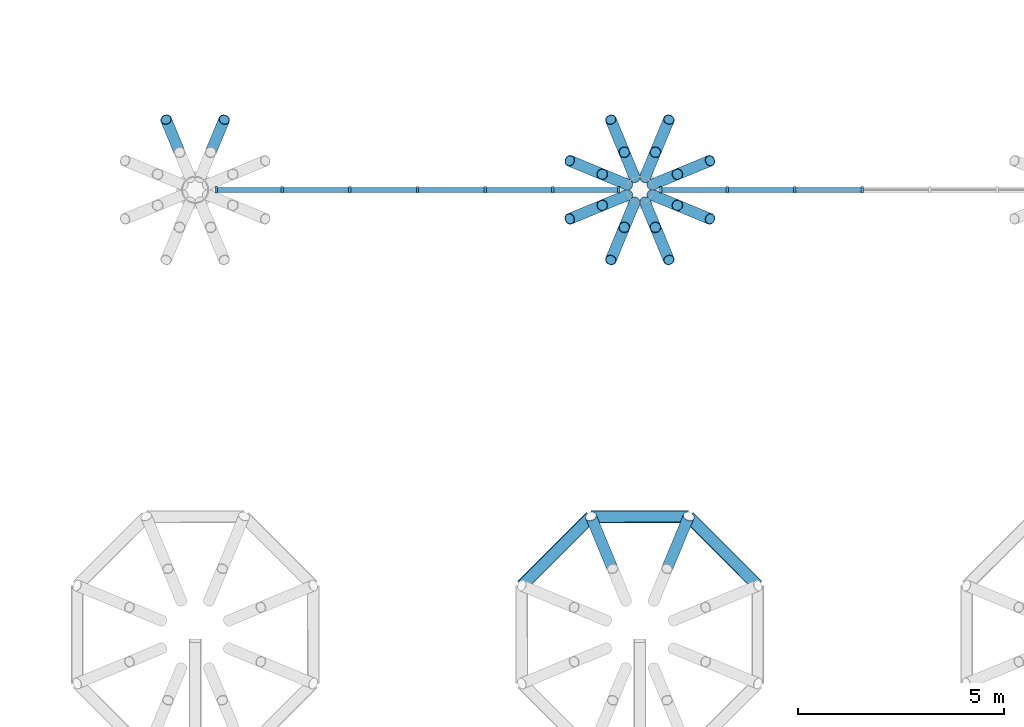
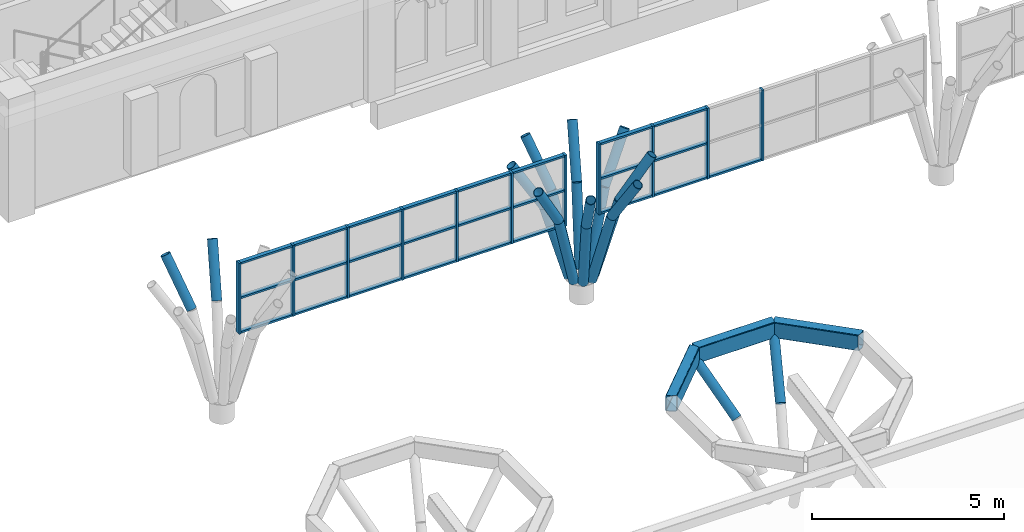
# One storey, part 7 of 42: 56 members, 3 beams, 2 elements without a shape of their own.
"""IFC4 building model written with IfcOpenShell, lengths in metres."""

from ifc_helpers import new_model, si_unit, direction, frame, origin, origin_2d, place, context, subcontext, project, spatial, rectangle, hollow_rectangle, hollow_circle, extrude, clip, halfspace, material, layer, layer_set, material_profile, profile_set, type_object, element, aggregate, save


model = new_model("IFC4")

# Units and contexts
model_context = context("Model", 3, precision=1e-05, world=origin(), true_north=direction((0.0, 1.0)))
body_context = subcontext(model_context, "Body", "Model", "MODEL_VIEW")
ifc_project = project(units=[si_unit("LENGTHUNIT", "METRE"), si_unit("AREAUNIT", "SQUARE_METRE"), si_unit("VOLUMEUNIT", "CUBIC_METRE"), si_unit("PLANEANGLEUNIT", "RADIAN"), si_unit("MASSUNIT", "GRAM", prefix="KILO")], contexts=[model_context])

# Site, building, storey
site_placement = place(None, origin())
site = spatial("IfcSite", under=ifc_project, at=site_placement, CompositionType="ELEMENT")
building_placement = place(site_placement, origin())
building = spatial("IfcBuilding", under=site, at=building_placement, Name="Magnolia Steps Interchange", CompositionType="ELEMENT")
storey_placement = place(building_placement, frame((0.0, 0.0, 12.60009765625)))
storey = spatial("IfcBuildingStorey", under=building, at=storey_placement, Name="L03", CompositionType="ELEMENT", Elevation=12.60009765625)

# Curtain wall, members
ifc_material_1 = material(Name="Powder-coated aluminium and glass", Category="aluminium")
ifc_layer = layer(ifc_material_1, 0.1201171875)
ifc_layer_set = layer_set([ifc_layer], Name="Hall clerestory curtain wall")
curtain_wall_type = type_object("IfcCurtainWallType", Name="Hall clerestory curtain wall", PredefinedType="NOTDEFINED", material=ifc_layer_set)
curtain_wall_1_placement = place(storey_placement, origin())
curtain_wall_1 = element("IfcCurtainWall", 1, at=curtain_wall_1_placement, inside=storey, type_object=curtain_wall_type, Name="Hall clerestory N2", PredefinedType="NOTDEFINED")
ifc_material_2 = material(Name="White powder-coated aluminium", Category="aluminium")
ifc_material_profile_1 = material_profile(ifc_material_2, rectangle(XDim=0.06005859375, YDim=0.14990234375, at=origin_2d()), Name="Aluminium mullion 60 x 150")
ifc_profile_set_1 = profile_set([ifc_material_profile_1], Name="White powder-coated aluminium")
member_type_1 = type_object("IfcMemberType", Name="Aluminium mullion 60 x 150", PredefinedType="MULLION", material=ifc_profile_set_1)
member_1_placement = place(storey_placement, frame((64.510009765625, 85.60009765625, 2.5), z_axis=(0.0, 0.0, 1.0), x_axis=(1.0, 0.0, 0.0)))
member_1 = element("IfcMember", 2, at=member_1_placement, type_object=member_type_1, Name="CW6 mullion 1", PredefinedType="MULLION", context=body_context, shape_type="SweptSolid", body=[
    extrude(rectangle(XDim=0.06005859375, YDim=0.14990234375, at=origin_2d()), origin(), (0.0, 0.0, 1.0), 2.251220703125),
])
member_2_placement = place(storey_placement, frame((66.1201171875, 85.60009765625, 2.5), z_axis=(0.0, 0.0, 1.0), x_axis=(1.0, 0.0, 0.0)))
member_2 = element("IfcMember", 3, at=member_2_placement, type_object=member_type_1, Name="CW6 mullion 2", PredefinedType="MULLION", context=body_context, shape_type="SweptSolid", body=[
    extrude(rectangle(XDim=0.06005859375, YDim=0.14990234375, at=origin_2d()), origin(), (0.0, 0.0, 1.0), 2.251220703125),
])
member_3_placement = place(storey_placement, frame((67.760009765625, 85.60009765625, 2.5), z_axis=(0.0, 0.0, 1.0), x_axis=(1.0, 0.0, 0.0)))
member_3 = element("IfcMember", 4, at=member_3_placement, type_object=member_type_1, Name="CW6 mullion 3", PredefinedType="MULLION", context=body_context, shape_type="SweptSolid", body=[
    extrude(rectangle(XDim=0.06005859375, YDim=0.14990234375, at=origin_2d()), origin(), (0.0, 0.0, 1.0), 2.251220703125),
])
member_4_placement = place(storey_placement, frame((69.39990234375, 85.60009765625, 2.5), z_axis=(0.0, 0.0, 1.0), x_axis=(1.0, 0.0, 0.0)))
member_4 = element("IfcMember", 5, at=member_4_placement, type_object=member_type_1, Name="CW6 mullion 4", PredefinedType="MULLION", context=body_context, shape_type="SweptSolid", body=[
    extrude(rectangle(XDim=0.06005859375, YDim=0.14990234375, at=origin_2d()), origin(), (0.0, 0.0, 1.0), 2.251220703125),
])
member_5_placement = place(storey_placement, frame((71.0400390625, 85.60009765625, 2.5), z_axis=(0.0, 0.0, 1.0), x_axis=(1.0, 0.0, 0.0)))
member_5 = element("IfcMember", 6, at=member_5_placement, type_object=member_type_1, Name="CW6 mullion 5", PredefinedType="MULLION", context=body_context, shape_type="SweptSolid", body=[
    extrude(rectangle(XDim=0.06005859375, YDim=0.14990234375, at=origin_2d()), origin(), (0.0, 0.0, 1.0), 2.251220703125),
])
member_6_placement = place(storey_placement, frame((72.679931640625, 85.60009765625, 2.5), z_axis=(0.0, 0.0, 1.0), x_axis=(1.0, 0.0, 0.0)))
member_6 = element("IfcMember", 7, at=member_6_placement, type_object=member_type_1, Name="CW6 mullion 6", PredefinedType="MULLION", context=body_context, shape_type="SweptSolid", body=[
    extrude(rectangle(XDim=0.06005859375, YDim=0.14990234375, at=origin_2d()), origin(), (0.0, 0.0, 1.0), 2.251220703125),
])
member_7_placement = place(storey_placement, frame((74.2900390625, 85.60009765625, 2.5), z_axis=(0.0, 0.0, 1.0), x_axis=(1.0, 0.0, 0.0)))
member_7 = element("IfcMember", 8, at=member_7_placement, type_object=member_type_1, Name="CW6 mullion 7", PredefinedType="MULLION", context=body_context, shape_type="SweptSolid", body=[
    extrude(rectangle(XDim=0.06005859375, YDim=0.14990234375, at=origin_2d()), origin(), (0.0, 0.0, 1.0), 2.251220703125),
])

curtain_wall_2_placement = place(storey_placement, origin())
curtain_wall_2 = element("IfcCurtainWall", 9, at=curtain_wall_2_placement, inside=storey, type_object=curtain_wall_type, Name="Hall clerestory N3", PredefinedType="NOTDEFINED")
member_8_placement = place(storey_placement, frame((75.31005859375, 85.60009765625, 2.5), z_axis=(0.0, 0.0, 1.0), x_axis=(1.0, 0.0, 0.0)))
member_8 = element("IfcMember", 10, at=member_8_placement, type_object=member_type_1, Name="CW6 mullion 1", PredefinedType="MULLION", context=body_context, shape_type="SweptSolid", body=[
    extrude(rectangle(XDim=0.06005859375, YDim=0.14990234375, at=origin_2d()), origin(), (0.0, 0.0, 1.0), 2.251220703125),
])
member_9_placement = place(storey_placement, frame((76.919921875, 85.60009765625, 2.5), z_axis=(0.0, 0.0, 1.0), x_axis=(1.0, 0.0, 0.0)))
member_9 = element("IfcMember", 11, at=member_9_placement, type_object=member_type_1, Name="CW6 mullion 2", PredefinedType="MULLION", context=body_context, shape_type="SweptSolid", body=[
    extrude(rectangle(XDim=0.06005859375, YDim=0.14990234375, at=origin_2d()), origin(), (0.0, 0.0, 1.0), 2.251220703125),
])
member_10_placement = place(storey_placement, frame((78.56005859375, 85.60009765625, 2.5), z_axis=(0.0, 0.0, 1.0), x_axis=(1.0, 0.0, 0.0)))
member_10 = element("IfcMember", 12, at=member_10_placement, type_object=member_type_1, Name="CW6 mullion 3", PredefinedType="MULLION", context=body_context, shape_type="SweptSolid", body=[
    extrude(rectangle(XDim=0.06005859375, YDim=0.14990234375, at=origin_2d()), origin(), (0.0, 0.0, 1.0), 2.251220703125),
])
member_11_placement = place(storey_placement, frame((80.199951171875, 85.60009765625, 2.5), z_axis=(0.0, 0.0, 1.0), x_axis=(1.0, 0.0, 0.0)))
member_11 = element("IfcMember", 13, at=member_11_placement, type_object=member_type_1, Name="CW6 mullion 4", PredefinedType="MULLION", context=body_context, shape_type="SweptSolid", body=[
    extrude(rectangle(XDim=0.06005859375, YDim=0.14990234375, at=origin_2d()), origin(), (0.0, 0.0, 1.0), 2.251220703125),
])

# Member
ifc_material_3 = material(Name="White powder-coated aluminium", Category="aluminium")
ifc_material_profile_2 = material_profile(ifc_material_3, rectangle(XDim=0.06005859375, YDim=0.1201171875, at=origin_2d()), Name="Aluminium transom 60 x 120")
ifc_profile_set_2 = profile_set([ifc_material_profile_2], Name="White powder-coated aluminium")
member_type_2 = type_object("IfcMemberType", Name="Aluminium transom 60 x 120", PredefinedType="USERDEFINED", material=ifc_profile_set_2)
member_12_placement = place(storey_placement, frame((64.5400390625, 85.60009765625, 2.52978515625), z_axis=(1.0, 0.0, 0.0), x_axis=(0.0, 0.0, 1.0)))
member_12 = element("IfcMember", 14, at=member_12_placement, type_object=member_type_2, Name="CW6 transom 1.1", ObjectType="TRANSOM", PredefinedType="USERDEFINED", context=body_context, shape_type="SweptSolid", body=[
    extrude(rectangle(XDim=0.06005859375, YDim=0.1201171875, at=origin_2d()), origin(), (0.0, 0.0, 1.0), 1.550048828125),
])

member_13_placement = place(storey_placement, frame((64.5400390625, 85.60009765625, 3.62548828125), z_axis=(1.0, 0.0, 0.0), x_axis=(0.0, 0.0, 1.0)))
member_13 = element("IfcMember", 15, at=member_13_placement, type_object=member_type_2, Name="CW6 transom 1.2", ObjectType="TRANSOM", PredefinedType="USERDEFINED", context=body_context, shape_type="SweptSolid", body=[
    extrude(rectangle(XDim=0.06005859375, YDim=0.1201171875, at=origin_2d()), origin(), (0.0, 0.0, 1.0), 1.550048828125),
])

member_14_placement = place(storey_placement, frame((64.5400390625, 85.60009765625, 4.72119140625), z_axis=(1.0, 0.0, 0.0), x_axis=(0.0, 0.0, 1.0)))
member_14 = element("IfcMember", 16, at=member_14_placement, type_object=member_type_2, Name="CW6 transom 1.3", ObjectType="TRANSOM", PredefinedType="USERDEFINED", context=body_context, shape_type="SweptSolid", body=[
    extrude(rectangle(XDim=0.06005859375, YDim=0.1201171875, at=origin_2d()), origin(), (0.0, 0.0, 1.0), 1.550048828125),
])

member_15_placement = place(storey_placement, frame((66.14990234375, 85.60009765625, 2.52978515625), z_axis=(1.0, 0.0, 0.0), x_axis=(0.0, 0.0, 1.0)))
member_15 = element("IfcMember", 17, at=member_15_placement, type_object=member_type_2, Name="CW6 transom 2.1", ObjectType="TRANSOM", PredefinedType="USERDEFINED", context=body_context, shape_type="SweptSolid", body=[
    extrude(rectangle(XDim=0.06005859375, YDim=0.1201171875, at=origin_2d()), origin(), (0.0, 0.0, 1.0), 1.580078125),
])

member_16_placement = place(storey_placement, frame((66.14990234375, 85.60009765625, 3.62548828125), z_axis=(1.0, 0.0, 0.0), x_axis=(0.0, 0.0, 1.0)))
member_16 = element("IfcMember", 18, at=member_16_placement, type_object=member_type_2, Name="CW6 transom 2.2", ObjectType="TRANSOM", PredefinedType="USERDEFINED", context=body_context, shape_type="SweptSolid", body=[
    extrude(rectangle(XDim=0.06005859375, YDim=0.1201171875, at=origin_2d()), origin(), (0.0, 0.0, 1.0), 1.580078125),
])

member_17_placement = place(storey_placement, frame((66.14990234375, 85.60009765625, 4.72119140625), z_axis=(1.0, 0.0, 0.0), x_axis=(0.0, 0.0, 1.0)))
member_17 = element("IfcMember", 19, at=member_17_placement, type_object=member_type_2, Name="CW6 transom 2.3", ObjectType="TRANSOM", PredefinedType="USERDEFINED", context=body_context, shape_type="SweptSolid", body=[
    extrude(rectangle(XDim=0.06005859375, YDim=0.1201171875, at=origin_2d()), origin(), (0.0, 0.0, 1.0), 1.580078125),
])

member_18_placement = place(storey_placement, frame((67.7900390625, 85.60009765625, 2.52978515625), z_axis=(1.0, 0.0, 0.0), x_axis=(0.0, 0.0, 1.0)))
member_18 = element("IfcMember", 20, at=member_18_placement, type_object=member_type_2, Name="CW6 transom 3.1", ObjectType="TRANSOM", PredefinedType="USERDEFINED", context=body_context, shape_type="SweptSolid", body=[
    extrude(rectangle(XDim=0.06005859375, YDim=0.1201171875, at=origin_2d()), origin(), (0.0, 0.0, 1.0), 1.580078125),
])

member_19_placement = place(storey_placement, frame((67.7900390625, 85.60009765625, 3.62548828125), z_axis=(1.0, 0.0, 0.0), x_axis=(0.0, 0.0, 1.0)))
member_19 = element("IfcMember", 21, at=member_19_placement, type_object=member_type_2, Name="CW6 transom 3.2", ObjectType="TRANSOM", PredefinedType="USERDEFINED", context=body_context, shape_type="SweptSolid", body=[
    extrude(rectangle(XDim=0.06005859375, YDim=0.1201171875, at=origin_2d()), origin(), (0.0, 0.0, 1.0), 1.580078125),
])

member_20_placement = place(storey_placement, frame((67.7900390625, 85.60009765625, 4.72119140625), z_axis=(1.0, 0.0, 0.0), x_axis=(0.0, 0.0, 1.0)))
member_20 = element("IfcMember", 22, at=member_20_placement, type_object=member_type_2, Name="CW6 transom 3.3", ObjectType="TRANSOM", PredefinedType="USERDEFINED", context=body_context, shape_type="SweptSolid", body=[
    extrude(rectangle(XDim=0.06005859375, YDim=0.1201171875, at=origin_2d()), origin(), (0.0, 0.0, 1.0), 1.580078125),
])

member_21_placement = place(storey_placement, frame((69.429931640625, 85.60009765625, 2.52978515625), z_axis=(1.0, 0.0, 0.0), x_axis=(0.0, 0.0, 1.0)))
member_21 = element("IfcMember", 23, at=member_21_placement, type_object=member_type_2, Name="CW6 transom 4.1", ObjectType="TRANSOM", PredefinedType="USERDEFINED", context=body_context, shape_type="SweptSolid", body=[
    extrude(rectangle(XDim=0.06005859375, YDim=0.1201171875, at=origin_2d()), origin(), (0.0, 0.0, 1.0), 1.580078125),
])

member_22_placement = place(storey_placement, frame((69.429931640625, 85.60009765625, 3.62548828125), z_axis=(1.0, 0.0, 0.0), x_axis=(0.0, 0.0, 1.0)))
member_22 = element("IfcMember", 24, at=member_22_placement, type_object=member_type_2, Name="CW6 transom 4.2", ObjectType="TRANSOM", PredefinedType="USERDEFINED", context=body_context, shape_type="SweptSolid", body=[
    extrude(rectangle(XDim=0.06005859375, YDim=0.1201171875, at=origin_2d()), origin(), (0.0, 0.0, 1.0), 1.580078125),
])

member_23_placement = place(storey_placement, frame((69.429931640625, 85.60009765625, 4.72119140625), z_axis=(1.0, 0.0, 0.0), x_axis=(0.0, 0.0, 1.0)))
member_23 = element("IfcMember", 25, at=member_23_placement, type_object=member_type_2, Name="CW6 transom 4.3", ObjectType="TRANSOM", PredefinedType="USERDEFINED", context=body_context, shape_type="SweptSolid", body=[
    extrude(rectangle(XDim=0.06005859375, YDim=0.1201171875, at=origin_2d()), origin(), (0.0, 0.0, 1.0), 1.580078125),
])

member_24_placement = place(storey_placement, frame((71.070068359375, 85.60009765625, 2.52978515625), z_axis=(1.0, 0.0, 0.0), x_axis=(0.0, 0.0, 1.0)))
member_24 = element("IfcMember", 26, at=member_24_placement, type_object=member_type_2, Name="CW6 transom 5.1", ObjectType="TRANSOM", PredefinedType="USERDEFINED", context=body_context, shape_type="SweptSolid", body=[
    extrude(rectangle(XDim=0.06005859375, YDim=0.1201171875, at=origin_2d()), origin(), (0.0, 0.0, 1.0), 1.579833984375),
])

member_25_placement = place(storey_placement, frame((71.070068359375, 85.60009765625, 3.62548828125), z_axis=(1.0, 0.0, 0.0), x_axis=(0.0, 0.0, 1.0)))
member_25 = element("IfcMember", 27, at=member_25_placement, type_object=member_type_2, Name="CW6 transom 5.2", ObjectType="TRANSOM", PredefinedType="USERDEFINED", context=body_context, shape_type="SweptSolid", body=[
    extrude(rectangle(XDim=0.06005859375, YDim=0.1201171875, at=origin_2d()), origin(), (0.0, 0.0, 1.0), 1.579833984375),
])

member_26_placement = place(storey_placement, frame((71.070068359375, 85.60009765625, 4.72119140625), z_axis=(1.0, 0.0, 0.0), x_axis=(0.0, 0.0, 1.0)))
member_26 = element("IfcMember", 28, at=member_26_placement, type_object=member_type_2, Name="CW6 transom 5.3", ObjectType="TRANSOM", PredefinedType="USERDEFINED", context=body_context, shape_type="SweptSolid", body=[
    extrude(rectangle(XDim=0.06005859375, YDim=0.1201171875, at=origin_2d()), origin(), (0.0, 0.0, 1.0), 1.579833984375),
])

member_27_placement = place(storey_placement, frame((72.7099609375, 85.60009765625, 2.52978515625), z_axis=(1.0, 0.0, 0.0), x_axis=(0.0, 0.0, 1.0)))
member_27 = element("IfcMember", 29, at=member_27_placement, type_object=member_type_2, Name="CW6 transom 6.1", ObjectType="TRANSOM", PredefinedType="USERDEFINED", context=body_context, shape_type="SweptSolid", body=[
    extrude(rectangle(XDim=0.06005859375, YDim=0.1201171875, at=origin_2d()), origin(), (0.0, 0.0, 1.0), 1.550048828125),
])

member_28_placement = place(storey_placement, frame((72.7099609375, 85.60009765625, 3.62548828125), z_axis=(1.0, 0.0, 0.0), x_axis=(0.0, 0.0, 1.0)))
member_28 = element("IfcMember", 30, at=member_28_placement, type_object=member_type_2, Name="CW6 transom 6.2", ObjectType="TRANSOM", PredefinedType="USERDEFINED", context=body_context, shape_type="SweptSolid", body=[
    extrude(rectangle(XDim=0.06005859375, YDim=0.1201171875, at=origin_2d()), origin(), (0.0, 0.0, 1.0), 1.550048828125),
])

member_29_placement = place(storey_placement, frame((72.7099609375, 85.60009765625, 4.72119140625), z_axis=(1.0, 0.0, 0.0), x_axis=(0.0, 0.0, 1.0)))
member_29 = element("IfcMember", 31, at=member_29_placement, type_object=member_type_2, Name="CW6 transom 6.3", ObjectType="TRANSOM", PredefinedType="USERDEFINED", context=body_context, shape_type="SweptSolid", body=[
    extrude(rectangle(XDim=0.06005859375, YDim=0.1201171875, at=origin_2d()), origin(), (0.0, 0.0, 1.0), 1.550048828125),
])

aggregate(curtain_wall_1, [member_1, member_2, member_3, member_4, member_5, member_6, member_7, member_12, member_13, member_14, member_15, member_16, member_17, member_18, member_19, member_20, member_21, member_22, member_23, member_24, member_25, member_26, member_27, member_28, member_29])

member_30_placement = place(storey_placement, frame((75.340087890625, 85.60009765625, 2.52978515625), z_axis=(1.0, 0.0, 0.0), x_axis=(0.0, 0.0, 1.0)))
member_30 = element("IfcMember", 32, at=member_30_placement, type_object=member_type_2, Name="CW6 transom 1.1", ObjectType="TRANSOM", PredefinedType="USERDEFINED", context=body_context, shape_type="SweptSolid", body=[
    extrude(rectangle(XDim=0.06005859375, YDim=0.1201171875, at=origin_2d()), origin(), (0.0, 0.0, 1.0), 1.5498046875),
])

member_31_placement = place(storey_placement, frame((75.340087890625, 85.60009765625, 3.62548828125), z_axis=(1.0, 0.0, 0.0), x_axis=(0.0, 0.0, 1.0)))
member_31 = element("IfcMember", 33, at=member_31_placement, type_object=member_type_2, Name="CW6 transom 1.2", ObjectType="TRANSOM", PredefinedType="USERDEFINED", context=body_context, shape_type="SweptSolid", body=[
    extrude(rectangle(XDim=0.06005859375, YDim=0.1201171875, at=origin_2d()), origin(), (0.0, 0.0, 1.0), 1.5498046875),
])

member_32_placement = place(storey_placement, frame((75.340087890625, 85.60009765625, 4.72119140625), z_axis=(1.0, 0.0, 0.0), x_axis=(0.0, 0.0, 1.0)))
member_32 = element("IfcMember", 34, at=member_32_placement, type_object=member_type_2, Name="CW6 transom 1.3", ObjectType="TRANSOM", PredefinedType="USERDEFINED", context=body_context, shape_type="SweptSolid", body=[
    extrude(rectangle(XDim=0.06005859375, YDim=0.1201171875, at=origin_2d()), origin(), (0.0, 0.0, 1.0), 1.5498046875),
])

member_33_placement = place(storey_placement, frame((76.949951171875, 85.60009765625, 2.52978515625), z_axis=(1.0, 0.0, 0.0), x_axis=(0.0, 0.0, 1.0)))
member_33 = element("IfcMember", 35, at=member_33_placement, type_object=member_type_2, Name="CW6 transom 2.1", ObjectType="TRANSOM", PredefinedType="USERDEFINED", context=body_context, shape_type="SweptSolid", body=[
    extrude(rectangle(XDim=0.06005859375, YDim=0.1201171875, at=origin_2d()), origin(), (0.0, 0.0, 1.0), 1.580078125),
])

member_34_placement = place(storey_placement, frame((76.949951171875, 85.60009765625, 3.62548828125), z_axis=(1.0, 0.0, 0.0), x_axis=(0.0, 0.0, 1.0)))
member_34 = element("IfcMember", 36, at=member_34_placement, type_object=member_type_2, Name="CW6 transom 2.2", ObjectType="TRANSOM", PredefinedType="USERDEFINED", context=body_context, shape_type="SweptSolid", body=[
    extrude(rectangle(XDim=0.06005859375, YDim=0.1201171875, at=origin_2d()), origin(), (0.0, 0.0, 1.0), 1.580078125),
])

member_35_placement = place(storey_placement, frame((76.949951171875, 85.60009765625, 4.72119140625), z_axis=(1.0, 0.0, 0.0), x_axis=(0.0, 0.0, 1.0)))
member_35 = element("IfcMember", 37, at=member_35_placement, type_object=member_type_2, Name="CW6 transom 2.3", ObjectType="TRANSOM", PredefinedType="USERDEFINED", context=body_context, shape_type="SweptSolid", body=[
    extrude(rectangle(XDim=0.06005859375, YDim=0.1201171875, at=origin_2d()), origin(), (0.0, 0.0, 1.0), 1.580078125),
])

member_36_placement = place(storey_placement, frame((78.590087890625, 85.60009765625, 2.52978515625), z_axis=(1.0, 0.0, 0.0), x_axis=(0.0, 0.0, 1.0)))
member_36 = element("IfcMember", 38, at=member_36_placement, type_object=member_type_2, Name="CW6 transom 3.1", ObjectType="TRANSOM", PredefinedType="USERDEFINED", context=body_context, shape_type="SweptSolid", body=[
    extrude(rectangle(XDim=0.06005859375, YDim=0.1201171875, at=origin_2d()), origin(), (0.0, 0.0, 1.0), 1.579833984375),
])

aggregate(curtain_wall_2, [member_8, member_9, member_10, member_11, member_30, member_31, member_32, member_33, member_34, member_35, member_36])

# Beams
ifc_material_4 = material(Name="Steel Q355B", Category="steel")
ifc_material_profile_3 = material_profile(ifc_material_4, hollow_rectangle(XDim=0.300048828125, YDim=0.5, WallThickness=0.01611328125, InnerFilletRadius=0.01611328125, OuterFilletRadius=0.031982421875, at=origin_2d()), Name="RHS500x300x16")
ifc_profile_set_3 = profile_set([ifc_material_profile_3], Name="Steel Q355B")
beam_type = type_object("IfcBeamType", Name="Ring beam RHS500x300x16", PredefinedType="BEAM", material=ifc_profile_set_3)
beam_1_placement = place(storey_placement, frame((77.6640625, 75.986328125, 3.4755859375), z_axis=(-0.707106781187, 0.707106781187, 0.0), x_axis=(-0.707106781187, -0.707106781187, 0.0)))
element("IfcBeam", 39, at=beam_1_placement, inside=storey, type_object=beam_type, Name="Ring beam TH03D", PredefinedType="BEAM", context=body_context, shape_type="Clipping", body=[
    clip(clip(extrude(hollow_rectangle(XDim=0.300048828125, YDim=0.5, WallThickness=0.01611328125, InnerFilletRadius=0.01611328125, OuterFilletRadius=0.031982421875, at=origin_2d()), origin(), (0.0, 0.0, 1.0), 2.37255859375), halfspace(frame((0.0, 0.0, 0.0), z_axis=(0.382683433, 0.0, -0.923879532), x_axis=(0.923879532, 0.0, 0.382683433)), False)), halfspace(frame((0.0, 0.0, 2.372674707), z_axis=(0.382683433, 0.0, 0.923879532), x_axis=(0.923879532, 0.0, -0.382683433)), False)),
])
beam_2_placement = place(storey_placement, frame((75.986328125, 77.6640625, 3.4755859375), z_axis=(-1.0, 0.0, 0.0), x_axis=(0.0, -1.0, 0.0)))
element("IfcBeam", 40, at=beam_2_placement, inside=storey, type_object=beam_type, Name="Ring beam TH03D", PredefinedType="BEAM", context=body_context, shape_type="Clipping", body=[
    clip(clip(extrude(hollow_rectangle(XDim=0.300048828125, YDim=0.5, WallThickness=0.01611328125, InnerFilletRadius=0.01611328125, OuterFilletRadius=0.031982421875, at=origin_2d()), origin(), (0.0, 0.0, 1.0), 2.37255859375), halfspace(frame((0.0, 0.0, 0.0), z_axis=(0.382683432, 0.0, -0.923879533), x_axis=(0.923879533, 0.0, 0.382683432)), False)), halfspace(frame((0.0, 0.0, 2.372558594), z_axis=(0.382683432, 0.0, 0.923879533), x_axis=(0.923879533, 0.0, -0.382683432)), False)),
])
beam_3_placement = place(storey_placement, frame((73.61376953125, 77.6640625, 3.4755859375), z_axis=(-0.707106781187, -0.707106781187, 0.0), x_axis=(0.707106781187, -0.707106781187, 0.0)))
element("IfcBeam", 41, at=beam_3_placement, inside=storey, type_object=beam_type, Name="Ring beam TH03D", PredefinedType="BEAM", context=body_context, shape_type="Clipping", body=[
    clip(clip(extrude(hollow_rectangle(XDim=0.300048828125, YDim=0.5, WallThickness=0.01611328125, InnerFilletRadius=0.01611328125, OuterFilletRadius=0.031982421875, at=origin_2d()), origin(), (0.0, 0.0, 1.0), 2.37255859375), halfspace(frame((0.0, 0.0, 0.0), z_axis=(0.382683433, 0.0, -0.923879532), x_axis=(0.923879532, 0.0, 0.382683433)), False)), halfspace(frame((0.0, 0.0, 2.372674707), z_axis=(0.382683433, 0.0, 0.923879532), x_axis=(0.923879532, 0.0, -0.382683433)), False)),
])

# Members
ifc_material_5 = material(Name="Steel Q355B", Category="steel")
ifc_material_profile_4 = material_profile(ifc_material_5, hollow_circle(Radius=0.136474609375, WallThickness=0.013916015625, at=origin_2d()), Name="CHS273x14")
ifc_profile_set_4 = profile_set([ifc_material_profile_4], Name="Steel Q355B")
member_type_3 = type_object("IfcMemberType", Name="Tree rib CHS273x14", PredefinedType="USERDEFINED", material=ifc_profile_set_4)
for number, where, z_axis, x_axis, name in (
    (42, (64.377685546875, 86.511962890625, 3.0126953125), (0.202820124805, 0.489571014481, 0.848047297475), (-0.923857399968, 0.382736860682, 0.0), "Tree rib TH02E"),
    (43, (63.622314453125, 86.511962890625, 3.0126953125), (-0.202820124805, 0.489571014481, 0.848047297475), (-0.923857399968, -0.382736860682, 0.0), "Tree rib TH02E"),
):
    element("IfcMember", number, at=place(storey_placement, frame(where, z_axis=z_axis, x_axis=x_axis)), inside=storey, type_object=member_type_3, Name=name, ObjectType="TREE RIB", PredefinedType="USERDEFINED", context=body_context, shape_type="SweptSolid", body=[
        extrude(hollow_circle(Radius=0.136474609375, WallThickness=0.013916015625, at=origin_2d()), origin(), (0.0, 0.0, 1.0), 1.6201171875),
    ])
member_37_placement = place(storey_placement, frame((75.461181640625, 76.396484375, 2.00048828125), z_axis=(0.275326110485, 0.664571439163, 0.694651232731), x_axis=(-0.923854165929, 0.382744666971, 0.0)))
element("IfcMember", 44, at=member_37_placement, inside=storey, type_object=member_type_3, Name="Tree rib TH03D", ObjectType="TREE RIB", PredefinedType="USERDEFINED", context=body_context, shape_type="SweptSolid", body=[
    extrude(hollow_circle(Radius=0.136474609375, WallThickness=0.013916015625, at=origin_2d()), origin(), (0.0, 0.0, 1.0), 1.907470703125),
])
member_38_placement = place(storey_placement, frame((74.138671875, 76.396484375, 2.00048828125), z_axis=(-0.275207808016, 0.664594855451, 0.694675708885), x_axis=(-0.923917076656, -0.382592780202, 0.0)))
element("IfcMember", 45, at=member_38_placement, inside=storey, type_object=member_type_3, Name="Tree rib TH03D", ObjectType="TREE RIB", PredefinedType="USERDEFINED", context=body_context, shape_type="SweptSolid", body=[
    extrude(hollow_circle(Radius=0.136474609375, WallThickness=0.013916015625, at=origin_2d()), origin(), (0.0, 0.0, 1.0), 1.9072265625),
])
member_39_placement = place(storey_placement, frame((75.10498046875, 85.726318359375, 0.72119140625), z_axis=(0.254605567514, 0.105488227892, 0.961274278636), x_axis=(-0.382767514508, 0.923844700065, 0.0)))
element("IfcMember", 46, at=member_39_placement, inside=storey, type_object=member_type_3, Name="Tree rib TH03E", ObjectType="TREE RIB", PredefinedType="USERDEFINED", context=body_context, shape_type="SweptSolid", body=[
    extrude(hollow_circle(Radius=0.136474609375, WallThickness=0.013916015625, at=origin_2d()), origin(), (0.0, 0.0, 1.0), 2.3837890625),
])
member_40_placement = place(storey_placement, frame((75.7119140625, 85.977783203125, 3.0126953125), z_axis=(0.489571014481, 0.202820124805, 0.848047297475), x_axis=(-0.382736860682, 0.923857399968, 0.0)))
element("IfcMember", 47, at=member_40_placement, inside=storey, type_object=member_type_3, Name="Tree rib TH03E", ObjectType="TREE RIB", PredefinedType="USERDEFINED", context=body_context, shape_type="SweptSolid", body=[
    extrude(hollow_circle(Radius=0.136474609375, WallThickness=0.013916015625, at=origin_2d()), origin(), (0.0, 0.0, 1.0), 1.6201171875),
])
member_41_placement = place(storey_placement, frame((74.92626953125, 85.90478515625, 0.72119140625), z_axis=(0.105485476775, 0.254701340525, 0.961249208751), x_axis=(-0.923899118291, 0.382636144688, 0.0)))
element("IfcMember", 48, at=member_41_placement, inside=storey, type_object=member_type_3, Name="Tree rib TH03E", ObjectType="TREE RIB", PredefinedType="USERDEFINED", context=body_context, shape_type="SweptSolid", body=[
    extrude(hollow_circle(Radius=0.136474609375, WallThickness=0.013916015625, at=origin_2d()), origin(), (0.0, 0.0, 1.0), 2.3837890625),
])
member_42_placement = place(storey_placement, frame((75.177734375, 86.511962890625, 3.0126953125), z_axis=(0.202820124805, 0.489571014481, 0.848047297475), x_axis=(-0.923857399968, 0.382736860682, 0.0)))
element("IfcMember", 49, at=member_42_placement, inside=storey, type_object=member_type_3, Name="Tree rib TH03E", ObjectType="TREE RIB", PredefinedType="USERDEFINED", context=body_context, shape_type="SweptSolid", body=[
    extrude(hollow_circle(Radius=0.136474609375, WallThickness=0.013916015625, at=origin_2d()), origin(), (0.0, 0.0, 1.0), 1.6201171875),
])
member_43_placement = place(storey_placement, frame((74.673583984375, 85.90478515625, 0.72119140625), z_axis=(-0.10538420162, 0.254704090796, 0.961259588343), x_axis=(-0.924030411119, -0.382318975891, 0.0)))
element("IfcMember", 50, at=member_43_placement, inside=storey, type_object=member_type_3, Name="Tree rib TH03E", ObjectType="TREE RIB", PredefinedType="USERDEFINED", context=body_context, shape_type="SweptSolid", body=[
    extrude(hollow_circle(Radius=0.136474609375, WallThickness=0.013916015625, at=origin_2d()), origin(), (0.0, 0.0, 1.0), 2.3837890625),
])
member_44_placement = place(storey_placement, frame((74.42236328125, 86.511962890625, 3.0126953125), z_axis=(-0.202820124805, 0.489571014481, 0.848047297475), x_axis=(-0.923857399968, -0.382736860682, 0.0)))
element("IfcMember", 51, at=member_44_placement, inside=storey, type_object=member_type_3, Name="Tree rib TH03E", ObjectType="TREE RIB", PredefinedType="USERDEFINED", context=body_context, shape_type="SweptSolid", body=[
    extrude(hollow_circle(Radius=0.136474609375, WallThickness=0.013916015625, at=origin_2d()), origin(), (0.0, 0.0, 1.0), 1.6201171875),
])
member_45_placement = place(storey_placement, frame((74.4951171875, 85.726318359375, 0.72119140625), z_axis=(-0.254701340525, 0.105485476775, 0.961249208751), x_axis=(-0.382636144688, -0.923899118291, 0.0)))
element("IfcMember", 52, at=member_45_placement, inside=storey, type_object=member_type_3, Name="Tree rib TH03E", ObjectType="TREE RIB", PredefinedType="USERDEFINED", context=body_context, shape_type="SweptSolid", body=[
    extrude(hollow_circle(Radius=0.136474609375, WallThickness=0.013916015625, at=origin_2d()), origin(), (0.0, 0.0, 1.0), 2.3837890625),
])
member_46_placement = place(storey_placement, frame((73.887939453125, 85.977783203125, 3.0126953125), z_axis=(-0.489571014481, 0.202820124805, 0.848047297475), x_axis=(-0.382736860682, -0.923857399968, 0.0)))
element("IfcMember", 53, at=member_46_placement, inside=storey, type_object=member_type_3, Name="Tree rib TH03E", ObjectType="TREE RIB", PredefinedType="USERDEFINED", context=body_context, shape_type="SweptSolid", body=[
    extrude(hollow_circle(Radius=0.136474609375, WallThickness=0.013916015625, at=origin_2d()), origin(), (0.0, 0.0, 1.0), 1.6201171875),
])
member_47_placement = place(storey_placement, frame((74.4951171875, 85.4736328125, 0.72119140625), z_axis=(-0.254704090796, -0.10538420162, 0.961259588343), x_axis=(0.382318975891, -0.924030411119, 0.0)))
element("IfcMember", 54, at=member_47_placement, inside=storey, type_object=member_type_3, Name="Tree rib TH03E", ObjectType="TREE RIB", PredefinedType="USERDEFINED", context=body_context, shape_type="SweptSolid", body=[
    extrude(hollow_circle(Radius=0.136474609375, WallThickness=0.013916015625, at=origin_2d()), origin(), (0.0, 0.0, 1.0), 2.3837890625),
])
member_48_placement = place(storey_placement, frame((73.887939453125, 85.222412109375, 3.0126953125), z_axis=(-0.489571014481, -0.202820124805, 0.848047297475), x_axis=(0.382736860682, -0.923857399968, 0.0)))
element("IfcMember", 55, at=member_48_placement, inside=storey, type_object=member_type_3, Name="Tree rib TH03E", ObjectType="TREE RIB", PredefinedType="USERDEFINED", context=body_context, shape_type="SweptSolid", body=[
    extrude(hollow_circle(Radius=0.136474609375, WallThickness=0.013916015625, at=origin_2d()), origin(), (0.0, 0.0, 1.0), 1.6201171875),
])
member_49_placement = place(storey_placement, frame((74.673583984375, 85.295166015625, 0.72119140625), z_axis=(-0.10538420162, -0.254704090796, 0.961259588343), x_axis=(0.924030411119, -0.382318975891, 0.0)))
element("IfcMember", 56, at=member_49_placement, inside=storey, type_object=member_type_3, Name="Tree rib TH03E", ObjectType="TREE RIB", PredefinedType="USERDEFINED", context=body_context, shape_type="SweptSolid", body=[
    extrude(hollow_circle(Radius=0.136474609375, WallThickness=0.013916015625, at=origin_2d()), origin(), (0.0, 0.0, 1.0), 2.3837890625),
])
member_50_placement = place(storey_placement, frame((74.42236328125, 84.68798828125, 3.0126953125), z_axis=(-0.202820124805, -0.489571014481, 0.848047297475), x_axis=(0.923857399968, -0.382736860682, 0.0)))
element("IfcMember", 57, at=member_50_placement, inside=storey, type_object=member_type_3, Name="Tree rib TH03E", ObjectType="TREE RIB", PredefinedType="USERDEFINED", context=body_context, shape_type="SweptSolid", body=[
    extrude(hollow_circle(Radius=0.136474609375, WallThickness=0.013916015625, at=origin_2d()), origin(), (0.0, 0.0, 1.0), 1.6201171875),
])
member_51_placement = place(storey_placement, frame((74.92626953125, 85.295166015625, 0.72119140625), z_axis=(0.105485476775, -0.254701340525, 0.961249208751), x_axis=(0.923899118291, 0.382636144688, 0.0)))
element("IfcMember", 58, at=member_51_placement, inside=storey, type_object=member_type_3, Name="Tree rib TH03E", ObjectType="TREE RIB", PredefinedType="USERDEFINED", context=body_context, shape_type="SweptSolid", body=[
    extrude(hollow_circle(Radius=0.136474609375, WallThickness=0.013916015625, at=origin_2d()), origin(), (0.0, 0.0, 1.0), 2.3837890625),
])
member_52_placement = place(storey_placement, frame((75.177734375, 84.68798828125, 3.0126953125), z_axis=(0.202820124805, -0.489571014481, 0.848047297475), x_axis=(0.923857399968, 0.382736860682, 0.0)))
element("IfcMember", 59, at=member_52_placement, inside=storey, type_object=member_type_3, Name="Tree rib TH03E", ObjectType="TREE RIB", PredefinedType="USERDEFINED", context=body_context, shape_type="SweptSolid", body=[
    extrude(hollow_circle(Radius=0.136474609375, WallThickness=0.013916015625, at=origin_2d()), origin(), (0.0, 0.0, 1.0), 1.6201171875),
])
member_53_placement = place(storey_placement, frame((75.10498046875, 85.4736328125, 0.72119140625), z_axis=(0.254608316895, -0.105386950155, 0.96128465904), x_axis=(0.382450274146, 0.923976075343, 0.0)))
element("IfcMember", 60, at=member_53_placement, inside=storey, type_object=member_type_3, Name="Tree rib TH03E", ObjectType="TREE RIB", PredefinedType="USERDEFINED", context=body_context, shape_type="SweptSolid", body=[
    extrude(hollow_circle(Radius=0.136474609375, WallThickness=0.013916015625, at=origin_2d()), origin(), (0.0, 0.0, 1.0), 2.3837890625),
])
member_54_placement = place(storey_placement, frame((75.7119140625, 85.222412109375, 3.0126953125), z_axis=(0.489571014481, -0.202820124805, 0.848047297475), x_axis=(0.382736860682, 0.923857399968, 0.0)))
element("IfcMember", 61, at=member_54_placement, inside=storey, type_object=member_type_3, Name="Tree rib TH03E", ObjectType="TREE RIB", PredefinedType="USERDEFINED", context=body_context, shape_type="SweptSolid", body=[
    extrude(hollow_circle(Radius=0.136474609375, WallThickness=0.013916015625, at=origin_2d()), origin(), (0.0, 0.0, 1.0), 1.6201171875),
])

save(model, "model.ifc")
